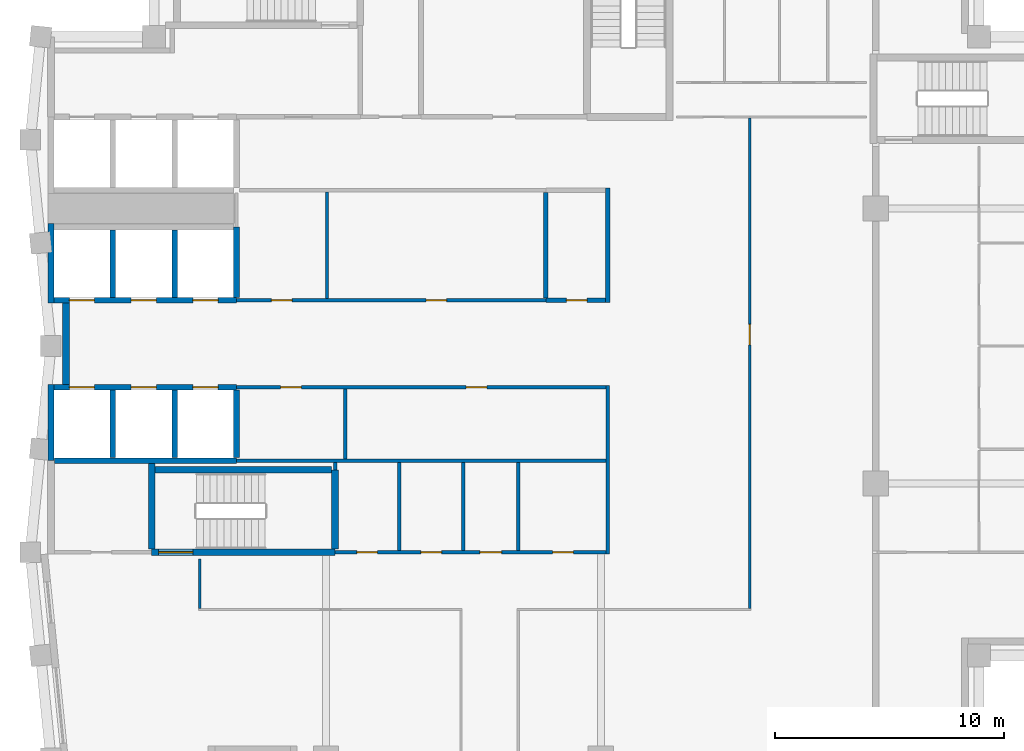
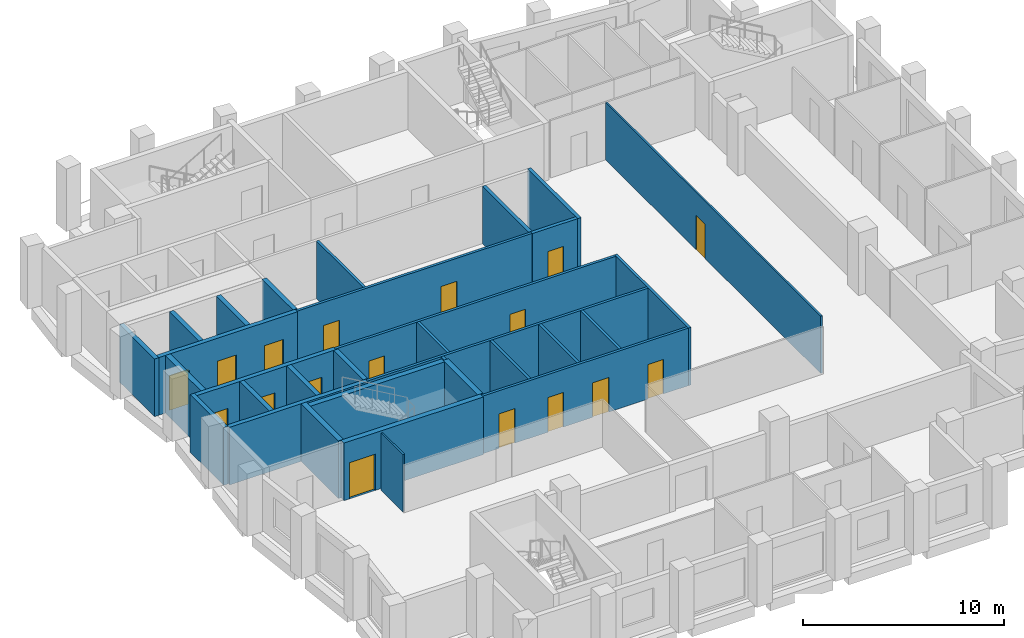
# One storey, part 3 of 7: 32 walls, 17 doors, 17 openings.
"""IFC4 building model written with IfcOpenShell, lengths in metres."""

from ifc_helpers import new_model, si_unit, direction, frame, frame_2d, origin, place, context, subcontext, project, spatial, rectangle, extrude, material, layer, layer_set, type_object, element, fill, save


model = new_model("IFC4")

# Units and contexts
model_context = context("Model", 3, precision=1e-05, world=origin(), true_north=direction((0.0, 1.0)))
body_context = subcontext(model_context, "Body", "Model", "MODEL_VIEW")
ifc_project = project(units=[si_unit("LENGTHUNIT", "METRE"), si_unit("AREAUNIT", "SQUARE_METRE"), si_unit("VOLUMEUNIT", "CUBIC_METRE"), si_unit("PLANEANGLEUNIT", "RADIAN"), si_unit("MASSUNIT", "GRAM", prefix="KILO")], contexts=[model_context])

# Site, building, storey
site_placement = place(None, origin())
site = spatial("IfcSite", under=ifc_project, at=site_placement, CompositionType="ELEMENT")
building_placement = place(site_placement, origin())
building = spatial("IfcBuilding", under=site, at=building_placement, Name="Brondeck Convention Tower", CompositionType="ELEMENT")
storey_placement = place(building_placement, frame((0.0, 0.0, 256.199951171875)))
storey = spatial("IfcBuildingStorey", under=building, at=storey_placement, Name="L63", CompositionType="ELEMENT", Elevation=256.199951171875)

# Wall, openings, doors
ifc_material_1 = material(Name="Concrete C50/60", Category="concrete")
ifc_layer_1 = layer(ifc_material_1, 0.14990234375)
ifc_layer_set_1 = layer_set([ifc_layer_1], Name="Core beam-seat wall 150 Concrete C50/60")
wall_type_1 = type_object("IfcWallType", Name="Core beam-seat wall 150 Concrete C50/60", PredefinedType="SHEAR", material=ifc_layer_set_1)
wall_1_placement = place(storey_placement, frame((12.39990234375, 36.0, 0.0), z_axis=(0.0, 0.0, 1.0), x_axis=(1.0, 0.0, 0.0)))
wall_1 = element("IfcWall", 1, at=wall_1_placement, inside=storey, type_object=wall_type_1, Name="L63 core wall", PredefinedType="SHEAR", context=body_context, shape_type="SweptSolid", body=[
    extrude(rectangle(XDim=11.8251953125, YDim=0.14990234375, at=frame_2d((5.91259765625, 0.0))), origin(), (0.0, 0.0, 1.0), 3.5),
])
opening_1_placement = place(wall_1_placement, frame((0.949951171875, 0.0, 0.0)))
opening_1 = element("IfcOpeningElement", 2, at=opening_1_placement, cuts=wall_1, Name="Opening C35-03", PredefinedType="OPENING", context=body_context, shape_type="SweptSolid", body=[
    extrude(rectangle(XDim=0.89990234375, YDim=2.10009765625, at=frame_2d((0.449951171875, 1.050048828125))), frame((0.0, 0.0849609375, 0.0), z_axis=(0.0, -1.0, 0.0), x_axis=(1.0, 0.0, 0.0)), (0.0, 0.0, 1.0), 0.169921875),
])
opening_2_placement = place(wall_1_placement, frame((3.75, 0.0, 0.0)))
opening_2 = element("IfcOpeningElement", 3, at=opening_2_placement, cuts=wall_1, Name="Opening C35-04", PredefinedType="OPENING", context=body_context, shape_type="SweptSolid", body=[
    extrude(rectangle(XDim=0.89990234375, YDim=2.10009765625, at=frame_2d((0.449951171875, 1.050048828125))), frame((0.0, 0.0849609375, 0.0), z_axis=(0.0, -1.0, 0.0), x_axis=(1.0, 0.0, 0.0)), (0.0, 0.0, 1.0), 0.169921875),
])
opening_3_placement = place(wall_1_placement, frame((6.324951171875, 0.0, 0.0)))
opening_3 = element("IfcOpeningElement", 4, at=opening_3_placement, cuts=wall_1, Name="Opening C35-05", PredefinedType="OPENING", context=body_context, shape_type="SweptSolid", body=[
    extrude(rectangle(XDim=0.949951171875, YDim=2.10009765625, at=frame_2d((0.47509765625, 1.050048828125))), frame((0.0, 0.0849609375, 0.0), z_axis=(0.0, -1.0, 0.0), x_axis=(1.0, 0.0, 0.0)), (0.0, 0.0, 1.0), 0.169921875),
])
opening_4_placement = place(wall_1_placement, frame((9.5, 0.0, 0.0)))
opening_4 = element("IfcOpeningElement", 5, at=opening_4_placement, cuts=wall_1, Name="Opening C35-06", PredefinedType="OPENING", context=body_context, shape_type="SweptSolid", body=[
    extrude(rectangle(XDim=0.89990234375, YDim=2.10009765625, at=frame_2d((0.449951171875, 1.050048828125))), frame((0.0, 0.0849609375, 0.0), z_axis=(0.0, -1.0, 0.0), x_axis=(1.0, 0.0, 0.0)), (0.0, 0.0, 1.0), 0.169921875),
])
ifc_material_2 = material(Name="Steel fire door", Category="steel")
door_type_1 = type_object("IfcDoorType", Name="Room door 900x2100 EI 60", OperationType="NOTDEFINED", PredefinedType="DOOR", material=ifc_material_2)
door_1_placement = place(opening_1_placement, origin())
door_1 = element("IfcDoor", 6, at=door_1_placement, inside=storey, type_object=door_type_1, Name="L63 Room door FR-1", OperationType="SINGLE_SWING_RIGHT", OverallHeight=2.10009765625, OverallWidth=0.89990234375, PredefinedType="DOOR", context=body_context, shape_type="SweptSolid", body=[
    extrude(rectangle(XDim=0.89990234375, YDim=2.10009765625, at=frame_2d((0.449951171875, 1.050048828125))), frame((0.0, 0.02490234375, 0.0), z_axis=(0.0, -1.0, 0.0), x_axis=(1.0, 0.0, 0.0)), (0.0, 0.0, 1.0), 0.050048828125),
])
fill(opening_1, door_1)
door_2_placement = place(opening_2_placement, origin())
door_2 = element("IfcDoor", 7, at=door_2_placement, inside=storey, type_object=door_type_1, Name="L63 Room door FR-2", OperationType="SINGLE_SWING_LEFT", OverallHeight=2.10009765625, OverallWidth=0.89990234375, PredefinedType="DOOR", context=body_context, shape_type="SweptSolid", body=[
    extrude(rectangle(XDim=0.89990234375, YDim=2.10009765625, at=frame_2d((0.449951171875, 1.050048828125))), frame((0.0, 0.02490234375, 0.0), z_axis=(0.0, -1.0, 0.0), x_axis=(1.0, 0.0, 0.0)), (0.0, 0.0, 1.0), 0.050048828125),
])
fill(opening_2, door_2)
door_3_placement = place(opening_4_placement, origin())
door_3 = element("IfcDoor", 8, at=door_3_placement, inside=storey, type_object=door_type_1, Name="L63 Room door FR-4", OperationType="SINGLE_SWING_LEFT", OverallHeight=2.10009765625, OverallWidth=0.89990234375, PredefinedType="DOOR", context=body_context, shape_type="SweptSolid", body=[
    extrude(rectangle(XDim=0.89990234375, YDim=2.10009765625, at=frame_2d((0.449951171875, 1.050048828125))), frame((0.0, 0.02490234375, 0.0), z_axis=(0.0, -1.0, 0.0), x_axis=(1.0, 0.0, 0.0)), (0.0, 0.0, 1.0), 0.050048828125),
])
fill(opening_4, door_3)
door_type_2 = type_object("IfcDoorType", Name="Room door 950x2100 EI 60", OperationType="NOTDEFINED", PredefinedType="DOOR", material=ifc_material_2)
door_4_placement = place(opening_3_placement, origin())
door_4 = element("IfcDoor", 9, at=door_4_placement, inside=storey, type_object=door_type_2, Name="L63 Room door FR-3", OperationType="SINGLE_SWING_RIGHT", OverallHeight=2.10009765625, OverallWidth=0.949951171875, PredefinedType="DOOR", context=body_context, shape_type="SweptSolid", body=[
    extrude(rectangle(XDim=0.949951171875, YDim=2.10009765625, at=frame_2d((0.47509765625, 1.050048828125))), frame((0.0, 0.02490234375, 0.0), z_axis=(0.0, -1.0, 0.0), x_axis=(1.0, 0.0, 0.0)), (0.0, 0.0, 1.0), 0.050048828125),
])
fill(opening_3, door_4)

# Walls
ifc_layer_2 = layer(ifc_material_1, 0.199951171875)
ifc_layer_set_2 = layer_set([ifc_layer_2], Name="Core beam-seat wall 200 Concrete C50/60")
wall_type_2 = type_object("IfcWallType", Name="Core beam-seat wall 200 Concrete C50/60", PredefinedType="SHEAR", material=ifc_layer_set_2)
wall_2_placement = place(storey_placement, frame((24.300048828125, 46.89990234375, 0.0), z_axis=(0.0, 0.0, 1.0), x_axis=(0.0, 1.0, 0.0)))
element("IfcWall", 10, at=wall_2_placement, inside=storey, type_object=wall_type_2, Name="L63 core wall", PredefinedType="SHEAR", context=body_context, shape_type="SweptSolid", body=[
    extrude(rectangle(XDim=5.0, YDim=0.199951171875, at=frame_2d((2.5, 0.0))), origin(), (0.0, 0.0, 1.0), 3.5),
])
ifc_layer_3 = layer(ifc_material_1, 0.300048828125)
ifc_layer_set_3 = layer_set([ifc_layer_3], Name="Core outer wall 300 Concrete C50/60")
wall_type_3 = type_object("IfcWallType", Name="Core outer wall 300 Concrete C50/60", PredefinedType="SHEAR", material=ifc_layer_set_3)
wall_3_placement = place(storey_placement, frame((0.64990234375, 43.324951171875, 0.0), z_axis=(0.0, 0.0, 1.0), x_axis=(0.0, 1.0, 0.0)))
element("IfcWall", 11, at=wall_3_placement, inside=storey, type_object=wall_type_3, Name="L63 core wall", PredefinedType="SHEAR", context=body_context, shape_type="SweptSolid", body=[
    extrude(rectangle(XDim=3.550048828125, YDim=0.300048828125, at=frame_2d((1.77490234375, 0.0))), origin(), (0.0, 0.0, 1.0), 3.5),
])
ifc_material_3 = material(Name="Fire-rated gypsum board partition")
ifc_layer_4 = layer(ifc_material_3, 0.14990234375)
ifc_layer_set_4 = layer_set([ifc_layer_4], Name="Core partition 150 EI 60")
wall_type_4 = type_object("IfcWallType", Name="Core partition 150 EI 60", PredefinedType="PARTITIONING", material=ifc_layer_set_4)
wall_4_placement = place(storey_placement, frame((8.10009765625, 40.0, 0.0), z_axis=(0.0, 0.0, 1.0), x_axis=(1.0, 0.0, 0.0)))
element("IfcWall", 12, at=wall_4_placement, inside=storey, type_object=wall_type_4, Name="L63 core wall", PredefinedType="PARTITIONING", context=body_context, shape_type="SweptSolid", body=[
    extrude(rectangle(XDim=16.125, YDim=0.14990234375, at=frame_2d((8.0625, 0.0))), origin(), (0.0, 0.0, 1.0), 3.5),
])

# Wall, openings, doors
wall_5_placement = place(storey_placement, frame((8.10009765625, 43.199951171875, 0.0), z_axis=(0.0, 0.0, 1.0), x_axis=(1.0, 0.0, 0.0)))
wall_5 = element("IfcWall", 13, at=wall_5_placement, inside=storey, type_object=wall_type_4, Name="L63 core wall", PredefinedType="PARTITIONING", context=body_context, shape_type="SweptSolid", body=[
    extrude(rectangle(XDim=16.125, YDim=0.14990234375, at=frame_2d((8.0625, 0.0))), origin(), (0.0, 0.0, 1.0), 3.5),
])
opening_5_placement = place(wall_5_placement, frame((1.925048828125, 0.0, 0.0)))
opening_5 = element("IfcOpeningElement", 14, at=opening_5_placement, cuts=wall_5, Name="Opening C35-10", PredefinedType="OPENING", context=body_context, shape_type="SweptSolid", body=[
    extrude(rectangle(XDim=0.89990234375, YDim=2.10009765625, at=frame_2d((0.449951171875, 1.050048828125))), frame((0.0, 0.0849609375, 0.0), z_axis=(0.0, -1.0, 0.0), x_axis=(1.0, 0.0, 0.0)), (0.0, 0.0, 1.0), 0.169921875),
])
opening_6_placement = place(wall_5_placement, frame((10.02490234375, 0.0, 0.0)))
opening_6 = element("IfcOpeningElement", 15, at=opening_6_placement, cuts=wall_5, Name="Opening C35-11", PredefinedType="OPENING", context=body_context, shape_type="SweptSolid", body=[
    extrude(rectangle(XDim=0.89990234375, YDim=2.10009765625, at=frame_2d((0.449951171875, 1.050048828125))), frame((0.0, 0.0849609375, 0.0), z_axis=(0.0, -1.0, 0.0), x_axis=(1.0, 0.0, 0.0)), (0.0, 0.0, 1.0), 0.169921875),
])
door_5_placement = place(opening_5_placement, origin())
door_5 = element("IfcDoor", 16, at=door_5_placement, inside=storey, type_object=door_type_1, Name="L63 Room door FZ-S-8.1-1", OperationType="SINGLE_SWING_RIGHT", OverallHeight=2.10009765625, OverallWidth=0.89990234375, PredefinedType="DOOR", context=body_context, shape_type="SweptSolid", body=[
    extrude(rectangle(XDim=0.89990234375, YDim=2.10009765625, at=frame_2d((0.449951171875, 1.050048828125))), frame((0.0, 0.02490234375, 0.0), z_axis=(0.0, -1.0, 0.0), x_axis=(1.0, 0.0, 0.0)), (0.0, 0.0, 1.0), 0.050048828125),
])
fill(opening_5, door_5)
door_6_placement = place(opening_6_placement, origin())
door_6 = element("IfcDoor", 17, at=door_6_placement, inside=storey, type_object=door_type_1, Name="L63 Room door FZ-S-8.1-2", OperationType="SINGLE_SWING_LEFT", OverallHeight=2.10009765625, OverallWidth=0.89990234375, PredefinedType="DOOR", context=body_context, shape_type="SweptSolid", body=[
    extrude(rectangle(XDim=0.89990234375, YDim=2.10009765625, at=frame_2d((0.449951171875, 1.050048828125))), frame((0.0, 0.02490234375, 0.0), z_axis=(0.0, -1.0, 0.0), x_axis=(1.0, 0.0, 0.0)), (0.0, 0.0, 1.0), 0.050048828125),
])
fill(opening_6, door_6)

wall_6_placement = place(storey_placement, frame((8.10009765625, 47.0, 0.0), z_axis=(0.0, 0.0, 1.0), x_axis=(1.0, 0.0, 0.0)))
wall_6 = element("IfcWall", 18, at=wall_6_placement, inside=storey, type_object=wall_type_4, Name="L63 core wall", PredefinedType="PARTITIONING", context=body_context, shape_type="SweptSolid", body=[
    extrude(rectangle(XDim=13.5, YDim=0.14990234375, at=frame_2d((6.75, 0.0))), origin(), (0.0, 0.0, 1.0), 3.5),
])
opening_7_placement = place(wall_6_placement, frame((1.52490234375, 0.0, 0.0)))
opening_7 = element("IfcOpeningElement", 19, at=opening_7_placement, cuts=wall_6, Name="Opening C35-08", PredefinedType="OPENING", context=body_context, shape_type="SweptSolid", body=[
    extrude(rectangle(XDim=0.89990234375, YDim=2.10009765625, at=frame_2d((0.449951171875, 1.050048828125))), frame((0.0, 0.0849609375, 0.0), z_axis=(0.0, -1.0, 0.0), x_axis=(1.0, 0.0, 0.0)), (0.0, 0.0, 1.0), 0.169921875),
])
opening_8_placement = place(wall_6_placement, frame((8.27490234375, 0.0, 0.0)))
opening_8 = element("IfcOpeningElement", 20, at=opening_8_placement, cuts=wall_6, Name="Opening C35-09", PredefinedType="OPENING", context=body_context, shape_type="SweptSolid", body=[
    extrude(rectangle(XDim=0.89990234375, YDim=2.10009765625, at=frame_2d((0.449951171875, 1.050048828125))), frame((0.0, 0.0849609375, 0.0), z_axis=(0.0, -1.0, 0.0), x_axis=(1.0, 0.0, 0.0)), (0.0, 0.0, 1.0), 0.169921875),
])
door_7_placement = place(opening_7_placement, origin())
door_7 = element("IfcDoor", 21, at=door_7_placement, inside=storey, type_object=door_type_1, Name="L63 Room door FZ-N-8.1-1", OperationType="SINGLE_SWING_LEFT", OverallHeight=2.10009765625, OverallWidth=0.89990234375, PredefinedType="DOOR", context=body_context, shape_type="SweptSolid", body=[
    extrude(rectangle(XDim=0.89990234375, YDim=2.10009765625, at=frame_2d((0.449951171875, 1.050048828125))), frame((0.0, 0.02490234375, 0.0), z_axis=(0.0, -1.0, 0.0), x_axis=(1.0, 0.0, 0.0)), (0.0, 0.0, 1.0), 0.050048828125),
])
fill(opening_7, door_7)
door_8_placement = place(opening_8_placement, origin())
door_8 = element("IfcDoor", 22, at=door_8_placement, inside=storey, type_object=door_type_1, Name="L63 Room door FZ-N-8.1-2", OperationType="SINGLE_SWING_RIGHT", OverallHeight=2.10009765625, OverallWidth=0.89990234375, PredefinedType="DOOR", context=body_context, shape_type="SweptSolid", body=[
    extrude(rectangle(XDim=0.89990234375, YDim=2.10009765625, at=frame_2d((0.449951171875, 1.050048828125))), frame((0.0, 0.02490234375, 0.0), z_axis=(0.0, -1.0, 0.0), x_axis=(1.0, 0.0, 0.0)), (0.0, 0.0, 1.0), 0.050048828125),
])
fill(opening_8, door_8)

# Walls
wall_7_placement = place(storey_placement, frame((12.050048828125, 47.074951171875, 0.0), z_axis=(0.0, 0.0, 1.0), x_axis=(0.0, 1.0, 0.0)))
element("IfcWall", 23, at=wall_7_placement, inside=storey, type_object=wall_type_4, Name="L63 core wall", PredefinedType="PARTITIONING", context=body_context, shape_type="SweptSolid", body=[
    extrude(rectangle(XDim=4.650146484375, YDim=0.14990234375, at=frame_2d((2.3251953125, 0.0))), origin(), (0.0, 0.0, 1.0), 3.5),
])
wall_8_placement = place(storey_placement, frame((12.39990234375, 39.60009765625, 0.0), z_axis=(0.0, 0.0, 1.0), x_axis=(0.0, 1.0, 0.0)))
element("IfcWall", 24, at=wall_8_placement, inside=storey, type_object=wall_type_4, Name="L63 core wall", PredefinedType="PARTITIONING", context=body_context, shape_type="SweptSolid", body=[
    extrude(rectangle(XDim=0.324951171875, YDim=0.14990234375, at=frame_2d((0.16259765625, 0.0))), origin(), (0.0, 0.0, 1.0), 3.5),
])
wall_9_placement = place(storey_placement, frame((12.85009765625, 40.074951171875, 0.0), z_axis=(0.0, 0.0, 1.0), x_axis=(0.0, 1.0, 0.0)))
element("IfcWall", 25, at=wall_9_placement, inside=storey, type_object=wall_type_4, Name="L63 core wall", PredefinedType="PARTITIONING", context=body_context, shape_type="SweptSolid", body=[
    extrude(rectangle(XDim=3.050048828125, YDim=0.14990234375, at=frame_2d((1.52490234375, 0.0))), origin(), (0.0, 0.0, 1.0), 3.5),
])
for number, where, z_axis, x_axis, name in (
    (26, (15.199951171875, 36.074951171875, 0.0), (0.0, 0.0, 1.0), (0.0, 1.0, 0.0), "L63 core wall"),
    (27, (18.0, 36.074951171875, 0.0), (0.0, 0.0, 1.0), (0.0, 1.0, 0.0), "L63 core wall"),
    (28, (20.39990234375, 36.074951171875, 0.0), (0.0, 0.0, 1.0), (0.0, 1.0, 0.0), "L63 core wall"),
):
    element("IfcWall", number, at=place(storey_placement, frame(where, z_axis=z_axis, x_axis=x_axis)), inside=storey, type_object=wall_type_4, Name=name, PredefinedType="PARTITIONING", context=body_context, shape_type="SweptSolid", body=[
        extrude(rectangle(XDim=3.85009765625, YDim=0.14990234375, at=frame_2d((1.925048828125, 0.0))), origin(), (0.0, 0.0, 1.0), 3.5),
    ])
wall_10_placement = place(storey_placement, frame((24.300048828125, 35.925048828125, 0.0), z_axis=(0.0, 0.0, 1.0), x_axis=(0.0, 1.0, 0.0)))
element("IfcWall", 29, at=wall_10_placement, inside=storey, type_object=wall_type_4, Name="L63 core wall", PredefinedType="PARTITIONING", context=body_context, shape_type="SweptSolid", body=[
    extrude(rectangle(XDim=7.349853515625, YDim=0.14990234375, at=frame_2d((3.6748046875, 0.0))), origin(), (0.0, 0.0, 1.0), 3.5),
])
ifc_layer_5 = layer(ifc_material_1, 0.25)
ifc_layer_set_5 = layer_set([ifc_layer_5], Name="Lift shaft wall 250 Concrete C50/60")
wall_type_5 = type_object("IfcWallType", Name="Lift shaft wall 250 Concrete C50/60", PredefinedType="SHEAR", material=ifc_layer_set_5)
wall_11_placement = place(storey_placement, frame((0.14990234375, 40.0, 0.0), z_axis=(0.0, 0.0, 1.0), x_axis=(1.0, 0.0, 0.0)))
element("IfcWall", 30, at=wall_11_placement, inside=storey, type_object=wall_type_5, Name="L63 core wall", PredefinedType="SHEAR", context=body_context, shape_type="SweptSolid", body=[
    extrude(rectangle(XDim=7.9501953125, YDim=0.25, at=frame_2d((3.97509765625, 0.0))), origin(), (0.0, 0.0, 1.0), 3.5),
])

# Wall, openings, doors
wall_12_placement = place(storey_placement, frame((0.125, 43.199951171875, 0.0), z_axis=(0.0, 0.0, 1.0), x_axis=(1.0, 0.0, 0.0)))
wall_12 = element("IfcWall", 31, at=wall_12_placement, inside=storey, type_object=wall_type_5, Name="L63 core wall", PredefinedType="SHEAR", context=body_context, shape_type="SweptSolid", body=[
    extrude(rectangle(XDim=7.97509765625, YDim=0.25, at=frame_2d((3.987548828125, 0.0))), origin(), (0.0, 0.0, 1.0), 3.5),
])
opening_9_placement = place(wall_12_placement, frame((0.675048828125, 0.0, 0.0)))
opening_9 = element("IfcOpeningElement", 32, at=opening_9_placement, cuts=wall_12, Name="Opening C35-22", PredefinedType="OPENING", context=body_context, shape_type="SweptSolid", body=[
    extrude(rectangle(XDim=1.10009765625, YDim=2.10009765625, at=frame_2d((0.550048828125, 1.050048828125))), frame((0.0, 0.135009765625, 0.0), z_axis=(0.0, -1.0, 0.0), x_axis=(1.0, 0.0, 0.0)), (0.0, 0.0, 1.0), 0.27001953125),
])
opening_10_placement = place(wall_12_placement, frame((3.375, 0.0, 0.0)))
opening_10 = element("IfcOpeningElement", 33, at=opening_10_placement, cuts=wall_12, Name="Opening C35-23", PredefinedType="OPENING", context=body_context, shape_type="SweptSolid", body=[
    extrude(rectangle(XDim=1.10009765625, YDim=2.10009765625, at=frame_2d((0.550048828125, 1.050048828125))), frame((0.0, 0.135009765625, 0.0), z_axis=(0.0, -1.0, 0.0), x_axis=(1.0, 0.0, 0.0)), (0.0, 0.0, 1.0), 0.27001953125),
])
opening_11_placement = place(wall_12_placement, frame((6.074951171875, 0.0, 0.0)))
opening_11 = element("IfcOpeningElement", 34, at=opening_11_placement, cuts=wall_12, Name="Opening C35-24", PredefinedType="OPENING", context=body_context, shape_type="SweptSolid", body=[
    extrude(rectangle(XDim=1.10009765625, YDim=2.10009765625, at=frame_2d((0.550048828125, 1.050048828125))), frame((0.0, 0.135009765625, 0.0), z_axis=(0.0, -1.0, 0.0), x_axis=(1.0, 0.0, 0.0)), (0.0, 0.0, 1.0), 0.27001953125),
])
ifc_material_4 = material(Name="Stainless steel lift door", Category="steel")
door_type_3 = type_object("IfcDoorType", Name="Lift landing door 1100x2100 EI 180", OperationType="DOUBLE_DOOR_SLIDING", PredefinedType="DOOR", material=ifc_material_4)
door_9_placement = place(opening_9_placement, origin())
door_9 = element("IfcDoor", 35, at=door_9_placement, inside=storey, type_object=door_type_3, Name="L63 Lift landing door HR1", OperationType="DOUBLE_DOOR_SLIDING", OverallHeight=2.10009765625, OverallWidth=1.10009765625, PredefinedType="DOOR", context=body_context, shape_type="SweptSolid", body=[
    extrude(rectangle(XDim=1.10009765625, YDim=2.10009765625, at=frame_2d((0.550048828125, 1.050048828125))), frame((0.0, 0.02490234375, 0.0), z_axis=(0.0, -1.0, 0.0), x_axis=(1.0, 0.0, 0.0)), (0.0, 0.0, 1.0), 0.050048828125),
])
fill(opening_9, door_9)
door_10_placement = place(opening_10_placement, origin())
door_10 = element("IfcDoor", 36, at=door_10_placement, inside=storey, type_object=door_type_3, Name="L63 Lift landing door HR2", OperationType="DOUBLE_DOOR_SLIDING", OverallHeight=2.10009765625, OverallWidth=1.10009765625, PredefinedType="DOOR", context=body_context, shape_type="SweptSolid", body=[
    extrude(rectangle(XDim=1.10009765625, YDim=2.10009765625, at=frame_2d((0.550048828125, 1.050048828125))), frame((0.0, 0.02490234375, 0.0), z_axis=(0.0, -1.0, 0.0), x_axis=(1.0, 0.0, 0.0)), (0.0, 0.0, 1.0), 0.050048828125),
])
fill(opening_10, door_10)
door_11_placement = place(opening_11_placement, origin())
door_11 = element("IfcDoor", 37, at=door_11_placement, inside=storey, type_object=door_type_3, Name="L63 Lift landing door HR3", OperationType="DOUBLE_DOOR_SLIDING", OverallHeight=2.10009765625, OverallWidth=1.10009765625, PredefinedType="DOOR", context=body_context, shape_type="SweptSolid", body=[
    extrude(rectangle(XDim=1.10009765625, YDim=2.10009765625, at=frame_2d((0.550048828125, 1.050048828125))), frame((0.0, 0.02490234375, 0.0), z_axis=(0.0, -1.0, 0.0), x_axis=(1.0, 0.0, 0.0)), (0.0, 0.0, 1.0), 0.050048828125),
])
fill(opening_11, door_11)

wall_13_placement = place(storey_placement, frame((0.125, 47.0, 0.0), z_axis=(0.0, 0.0, 1.0), x_axis=(1.0, 0.0, 0.0)))
wall_13 = element("IfcWall", 38, at=wall_13_placement, inside=storey, type_object=wall_type_5, Name="L63 core wall", PredefinedType="SHEAR", context=body_context, shape_type="SweptSolid", body=[
    extrude(rectangle(XDim=7.97509765625, YDim=0.25, at=frame_2d((3.987548828125, 0.0))), origin(), (0.0, 0.0, 1.0), 3.5),
])
opening_12_placement = place(wall_13_placement, frame((0.675048828125, 0.0, 0.0)))
opening_12 = element("IfcOpeningElement", 39, at=opening_12_placement, cuts=wall_13, Name="Opening C35-25", PredefinedType="OPENING", context=body_context, shape_type="SweptSolid", body=[
    extrude(rectangle(XDim=1.10009765625, YDim=2.10009765625, at=frame_2d((0.550048828125, 1.050048828125))), frame((0.0, 0.135009765625, 0.0), z_axis=(0.0, -1.0, 0.0), x_axis=(1.0, 0.0, 0.0)), (0.0, 0.0, 1.0), 0.27001953125),
])
opening_13_placement = place(wall_13_placement, frame((3.375, 0.0, 0.0)))
opening_13 = element("IfcOpeningElement", 40, at=opening_13_placement, cuts=wall_13, Name="Opening C35-26", PredefinedType="OPENING", context=body_context, shape_type="SweptSolid", body=[
    extrude(rectangle(XDim=1.10009765625, YDim=2.10009765625, at=frame_2d((0.550048828125, 1.050048828125))), frame((0.0, 0.135009765625, 0.0), z_axis=(0.0, -1.0, 0.0), x_axis=(1.0, 0.0, 0.0)), (0.0, 0.0, 1.0), 0.27001953125),
])
opening_14_placement = place(wall_13_placement, frame((6.074951171875, 0.0, 0.0)))
opening_14 = element("IfcOpeningElement", 41, at=opening_14_placement, cuts=wall_13, Name="Opening C35-27", PredefinedType="OPENING", context=body_context, shape_type="SweptSolid", body=[
    extrude(rectangle(XDim=1.10009765625, YDim=2.10009765625, at=frame_2d((0.550048828125, 1.050048828125))), frame((0.0, 0.135009765625, 0.0), z_axis=(0.0, -1.0, 0.0), x_axis=(1.0, 0.0, 0.0)), (0.0, 0.0, 1.0), 0.27001953125),
])
door_12_placement = place(opening_12_placement, origin())
door_12 = element("IfcDoor", 42, at=door_12_placement, inside=storey, type_object=door_type_3, Name="L63 Lift landing door HR4", OperationType="DOUBLE_DOOR_SLIDING", OverallHeight=2.10009765625, OverallWidth=1.10009765625, PredefinedType="DOOR", context=body_context, shape_type="SweptSolid", body=[
    extrude(rectangle(XDim=1.10009765625, YDim=2.10009765625, at=frame_2d((0.550048828125, 1.050048828125))), frame((0.0, 0.02490234375, 0.0), z_axis=(0.0, -1.0, 0.0), x_axis=(1.0, 0.0, 0.0)), (0.0, 0.0, 1.0), 0.050048828125),
])
fill(opening_12, door_12)
door_13_placement = place(opening_13_placement, origin())
door_13 = element("IfcDoor", 43, at=door_13_placement, inside=storey, type_object=door_type_3, Name="L63 Lift landing door HR5", OperationType="DOUBLE_DOOR_SLIDING", OverallHeight=2.10009765625, OverallWidth=1.10009765625, PredefinedType="DOOR", context=body_context, shape_type="SweptSolid", body=[
    extrude(rectangle(XDim=1.10009765625, YDim=2.10009765625, at=frame_2d((0.550048828125, 1.050048828125))), frame((0.0, 0.02490234375, 0.0), z_axis=(0.0, -1.0, 0.0), x_axis=(1.0, 0.0, 0.0)), (0.0, 0.0, 1.0), 0.050048828125),
])
fill(opening_13, door_13)
door_14_placement = place(opening_14_placement, origin())
door_14 = element("IfcDoor", 44, at=door_14_placement, inside=storey, type_object=door_type_3, Name="L63 Lift landing door HR6", OperationType="DOUBLE_DOOR_SLIDING", OverallHeight=2.10009765625, OverallWidth=1.10009765625, PredefinedType="DOOR", context=body_context, shape_type="SweptSolid", body=[
    extrude(rectangle(XDim=1.10009765625, YDim=2.10009765625, at=frame_2d((0.550048828125, 1.050048828125))), frame((0.0, 0.02490234375, 0.0), z_axis=(0.0, -1.0, 0.0), x_axis=(1.0, 0.0, 0.0)), (0.0, 0.0, 1.0), 0.050048828125),
])
fill(opening_14, door_14)

# Walls
wall_14_placement = place(storey_placement, frame((0.0, 40.0, 0.0), z_axis=(0.0, 0.0, 1.0), x_axis=(0.0, 1.0, 0.0)))
element("IfcWall", 45, at=wall_14_placement, inside=storey, type_object=wall_type_5, Name="L63 core wall", PredefinedType="SHEAR", context=body_context, shape_type="SweptSolid", body=[
    extrude(rectangle(XDim=3.324951171875, YDim=0.25, at=frame_2d((1.66259765625, 0.0))), origin(), (0.0, 0.0, 1.0), 3.5),
])
wall_15_placement = place(storey_placement, frame((0.0, 46.875, 0.0), z_axis=(0.0, 0.0, 1.0), x_axis=(0.0, 1.0, 0.0)))
element("IfcWall", 46, at=wall_15_placement, inside=storey, type_object=wall_type_5, Name="L63 core wall", PredefinedType="SHEAR", context=body_context, shape_type="SweptSolid", body=[
    extrude(rectangle(XDim=3.47509765625, YDim=0.25, at=frame_2d((1.737548828125, 0.0))), origin(), (0.0, 0.0, 1.0), 3.5),
])
for number, where, z_axis, x_axis, name in (
    (47, (2.699951171875, 40.125, 0.0), (0.0, 0.0, 1.0), (0.0, 1.0, 0.0), "L63 core wall"),
    (48, (2.699951171875, 47.125, 0.0), (0.0, 0.0, 1.0), (0.0, 1.0, 0.0), "L63 core wall"),
    (49, (5.39990234375, 40.125, 0.0), (0.0, 0.0, 1.0), (0.0, 1.0, 0.0), "L63 core wall"),
    (50, (5.39990234375, 47.125, 0.0), (0.0, 0.0, 1.0), (0.0, 1.0, 0.0), "L63 core wall"),
    (51, (8.10009765625, 40.125, 0.0), (0.0, 0.0, 1.0), (0.0, 1.0, 0.0), "L63 core wall"),
):
    element("IfcWall", number, at=place(storey_placement, frame(where, z_axis=z_axis, x_axis=x_axis)), inside=storey, type_object=wall_type_5, Name=name, PredefinedType="SHEAR", context=body_context, shape_type="SweptSolid", body=[
        extrude(rectangle(XDim=2.949951171875, YDim=0.25, at=frame_2d((1.47509765625, 0.0))), origin(), (0.0, 0.0, 1.0), 3.5),
    ])
wall_16_placement = place(storey_placement, frame((8.10009765625, 47.125, 0.0), z_axis=(0.0, 0.0, 1.0), x_axis=(0.0, 1.0, 0.0)))
element("IfcWall", 52, at=wall_16_placement, inside=storey, type_object=wall_type_5, Name="L63 core wall", PredefinedType="SHEAR", context=body_context, shape_type="SweptSolid", body=[
    extrude(rectangle(XDim=3.074951171875, YDim=0.25, at=frame_2d((1.53759765625, 0.0))), origin(), (0.0, 0.0, 1.0), 3.5),
])

# Wall, opening, door
ifc_layer_6 = layer(ifc_material_3, 0.199951171875)
ifc_layer_set_6 = layer_set([ifc_layer_6], Name="Riser wall 200 EI 120")
wall_type_6 = type_object("IfcWallType", Name="Riser wall 200 EI 120", PredefinedType="PARTITIONING", material=ifc_layer_set_6)
wall_17_placement = place(storey_placement, frame((21.60009765625, 47.0, 0.0), z_axis=(0.0, 0.0, 1.0), x_axis=(1.0, 0.0, 0.0)))
wall_17 = element("IfcWall", 53, at=wall_17_placement, inside=storey, type_object=wall_type_6, Name="L63 core wall", PredefinedType="PARTITIONING", context=body_context, shape_type="SweptSolid", body=[
    extrude(rectangle(XDim=2.599853515625, YDim=0.199951171875, at=frame_2d((1.2998046875, 0.0))), origin(), (0.0, 0.0, 1.0), 3.5),
])
opening_15_placement = place(wall_17_placement, frame((0.89990234375, 0.0, 0.0)))
opening_15 = element("IfcOpeningElement", 54, at=opening_15_placement, cuts=wall_17, Name="Opening C35-02", PredefinedType="OPENING", context=body_context, shape_type="SweptSolid", body=[
    extrude(rectangle(XDim=0.89990234375, YDim=2.10009765625, at=frame_2d((0.449951171875, 1.050048828125))), frame((0.0, 0.10986328125, 0.0), z_axis=(0.0, -1.0, 0.0), x_axis=(1.0, 0.0, 0.0)), (0.0, 0.0, 1.0), 0.219970703125),
])
door_type_4 = type_object("IfcDoorType", Name="Riser door 900x2100 EI 120", OperationType="NOTDEFINED", PredefinedType="DOOR", material=ifc_material_2)
door_15_placement = place(opening_15_placement, origin())
door_15 = element("IfcDoor", 55, at=door_15_placement, inside=storey, type_object=door_type_4, Name="L63 Riser door EN-1", OperationType="SINGLE_SWING_LEFT", OverallHeight=2.10009765625, OverallWidth=0.89990234375, PredefinedType="DOOR", context=body_context, shape_type="SweptSolid", body=[
    extrude(rectangle(XDim=0.89990234375, YDim=2.10009765625, at=frame_2d((0.449951171875, 1.050048828125))), frame((0.0, 0.02490234375, 0.0), z_axis=(0.0, -1.0, 0.0), x_axis=(1.0, 0.0, 0.0)), (0.0, 0.0, 1.0), 0.050048828125),
])
fill(opening_15, door_15)

# Walls
wall_18_placement = place(storey_placement, frame((21.60009765625, 47.10009765625, 0.0), z_axis=(0.0, 0.0, 1.0), x_axis=(0.0, 1.0, 0.0)))
element("IfcWall", 56, at=wall_18_placement, inside=storey, type_object=wall_type_6, Name="L63 core wall", PredefinedType="PARTITIONING", context=body_context, shape_type="SweptSolid", body=[
    extrude(rectangle(XDim=4.599853515625, YDim=0.199951171875, at=frame_2d((2.2998046875, 0.0))), origin(), (0.0, 0.0, 1.0), 3.5),
])
ifc_material_5 = material(Name="Gypsum board partition on steel studs", Category="steel")
ifc_layer_7 = layer(ifc_material_5, 0.10009765625)
ifc_layer_set_7 = layer_set([ifc_layer_7], Name="Room partition 100")
wall_type_7 = type_object("IfcWallType", Name="Room partition 100", PredefinedType="PARTITIONING", material=ifc_layer_set_7)
wall_19_placement = place(storey_placement, frame((6.5, 33.550048828125, 0.0), z_axis=(0.0, 0.0, 1.0), x_axis=(0.0, 1.0, 0.0)))
element("IfcWall", 57, at=wall_19_placement, inside=storey, type_object=wall_type_7, Name="FLR-L63-W026", PredefinedType="PARTITIONING", context=body_context, shape_type="SweptSolid", body=[
    extrude(rectangle(XDim=2.14990234375, YDim=0.10009765625, at=frame_2d((1.074951171875, 0.0))), origin(), (0.0, 0.0, 1.0), 3.47998046875),
])

# Wall, opening, door
wall_20_placement = place(storey_placement, frame((30.5, 54.949951171875, 0.0), z_axis=(0.0, 0.0, 1.0), x_axis=(0.0, -1.0, 0.0)))
wall_20 = element("IfcWall", 58, at=wall_20_placement, inside=storey, type_object=wall_type_7, Name="FLR-L63-W039", PredefinedType="PARTITIONING", context=body_context, shape_type="SweptSolid", body=[
    extrude(rectangle(XDim=21.39990234375, YDim=0.10009765625, at=frame_2d((10.699951171875, 0.0))), origin(), (0.0, 0.0, 1.0), 3.47998046875),
])
opening_16_placement = place(wall_20_placement, frame((9.0, 0.0, 0.0)))
opening_16 = element("IfcOpeningElement", 59, at=opening_16_placement, cuts=wall_20, Name="Opening EX-A2-016", PredefinedType="OPENING", context=body_context, shape_type="SweptSolid", body=[
    extrude(rectangle(XDim=0.89990234375, YDim=2.10009765625, at=frame_2d((0.449951171875, 1.050048828125))), frame((0.0, 0.06005859375, 0.0), z_axis=(0.0, -1.0, 0.0), x_axis=(1.0, 0.0, 0.0)), (0.0, 0.0, 1.0), 0.1201171875),
])
ifc_material_6 = material(Name="Solid timber door leaf", Category="wood")
door_type_5 = type_object("IfcDoorType", Name="Single door 900", OperationType="NOTDEFINED", PredefinedType="DOOR", material=ifc_material_6)
door_16_placement = place(opening_16_placement, origin())
door_16 = element("IfcDoor", 60, at=door_16_placement, inside=storey, type_object=door_type_5, Name="Door EX-A2-016", OperationType="SINGLE_SWING_LEFT", OverallHeight=2.10009765625, OverallWidth=0.89990234375, PredefinedType="DOOR", context=body_context, shape_type="SweptSolid", body=[
    extrude(rectangle(XDim=0.89990234375, YDim=2.10009765625, at=frame_2d((0.449951171875, 1.050048828125))), frame((0.0, 0.02490234375, 0.0), z_axis=(0.0, -1.0, 0.0), x_axis=(1.0, 0.0, 0.0)), (0.0, 0.0, 1.0), 0.050048828125),
])
fill(opening_16, door_16)

ifc_layer_8 = layer(ifc_material_1, 0.300048828125)
ifc_layer_set_8 = layer_set([ifc_layer_8], Name="Stair enclosure wall 300 Concrete C50/60")
wall_type_8 = type_object("IfcWallType", Name="Stair enclosure wall 300 Concrete C50/60", PredefinedType="SHEAR", material=ifc_layer_set_8)
wall_21_placement = place(storey_placement, frame((4.39990234375, 36.0, 0.0), z_axis=(0.0, 0.0, 1.0), x_axis=(1.0, 0.0, 0.0)))
wall_21 = element("IfcWall", 61, at=wall_21_placement, inside=storey, type_object=wall_type_8, Name="L63 core wall", PredefinedType="SHEAR", context=body_context, shape_type="SweptSolid", body=[
    extrude(rectangle(XDim=8.0, YDim=0.300048828125, at=frame_2d((4.0, 0.0))), origin(), (0.0, 0.0, 1.0), 3.5),
])
opening_17_placement = place(wall_21_placement, frame((0.300048828125, 0.0, 0.0)))
opening_17 = element("IfcOpeningElement", 62, at=opening_17_placement, cuts=wall_21, Name="Opening C35-14", PredefinedType="OPENING", context=body_context, shape_type="SweptSolid", body=[
    extrude(rectangle(XDim=1.5, YDim=2.199951171875, at=frame_2d((0.75, 1.10009765625))), frame((0.0, 0.159912109375, 0.0), z_axis=(0.0, -1.0, 0.0), x_axis=(1.0, 0.0, 0.0)), (0.0, 0.0, 1.0), 0.320068359375),
])
door_type_6 = type_object("IfcDoorType", Name="Stair door 1500x2200 EI 90", OperationType="NOTDEFINED", PredefinedType="DOOR", material=ifc_material_2)
door_17_placement = place(opening_17_placement, origin())
door_17 = element("IfcDoor", 63, at=door_17_placement, inside=storey, type_object=door_type_6, Name="L63 Stair door ST-1", OperationType="SINGLE_SWING_RIGHT", OverallHeight=2.199951171875, OverallWidth=1.5, PredefinedType="DOOR", context=body_context, shape_type="SweptSolid", body=[
    extrude(rectangle(XDim=1.5, YDim=2.199951171875, at=frame_2d((0.75, 1.10009765625))), frame((0.0, 0.02490234375, 0.0), z_axis=(0.0, -1.0, 0.0), x_axis=(1.0, 0.0, 0.0)), (0.0, 0.0, 1.0), 0.050048828125),
])
fill(opening_17, door_17)

# Walls
wall_22_placement = place(storey_placement, frame((4.550048828125, 39.60009765625, 0.0), z_axis=(0.0, 0.0, 1.0), x_axis=(1.0, 0.0, 0.0)))
element("IfcWall", 64, at=wall_22_placement, inside=storey, type_object=wall_type_8, Name="L63 core wall", PredefinedType="SHEAR", context=body_context, shape_type="SweptSolid", body=[
    extrude(rectangle(XDim=7.699951171875, YDim=0.300048828125, at=frame_2d((3.85009765625, 0.0))), origin(), (0.0, 0.0, 1.0), 3.5),
])
wall_23_placement = place(storey_placement, frame((4.39990234375, 36.14990234375, 0.0), z_axis=(0.0, 0.0, 1.0), x_axis=(0.0, 1.0, 0.0)))
element("IfcWall", 65, at=wall_23_placement, inside=storey, type_object=wall_type_8, Name="L63 core wall", PredefinedType="SHEAR", context=body_context, shape_type="SweptSolid", body=[
    extrude(rectangle(XDim=3.72509765625, YDim=0.300048828125, at=frame_2d((1.862548828125, 0.0))), origin(), (0.0, 0.0, 1.0), 3.5),
])
wall_24_placement = place(storey_placement, frame((12.39990234375, 36.14990234375, 0.0), z_axis=(0.0, 0.0, 1.0), x_axis=(0.0, 1.0, 0.0)))
element("IfcWall", 66, at=wall_24_placement, inside=storey, type_object=wall_type_8, Name="L63 core wall", PredefinedType="SHEAR", context=body_context, shape_type="SweptSolid", body=[
    extrude(rectangle(XDim=3.4501953125, YDim=0.300048828125, at=frame_2d((1.72509765625, 0.0))), origin(), (0.0, 0.0, 1.0), 3.5),
])

save(model, "model.ifc")
